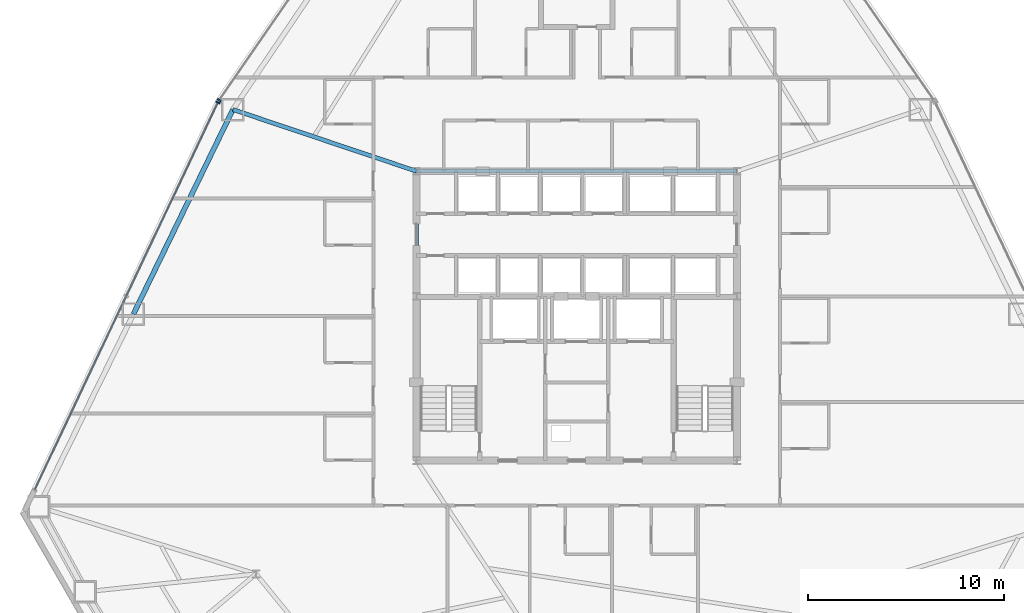
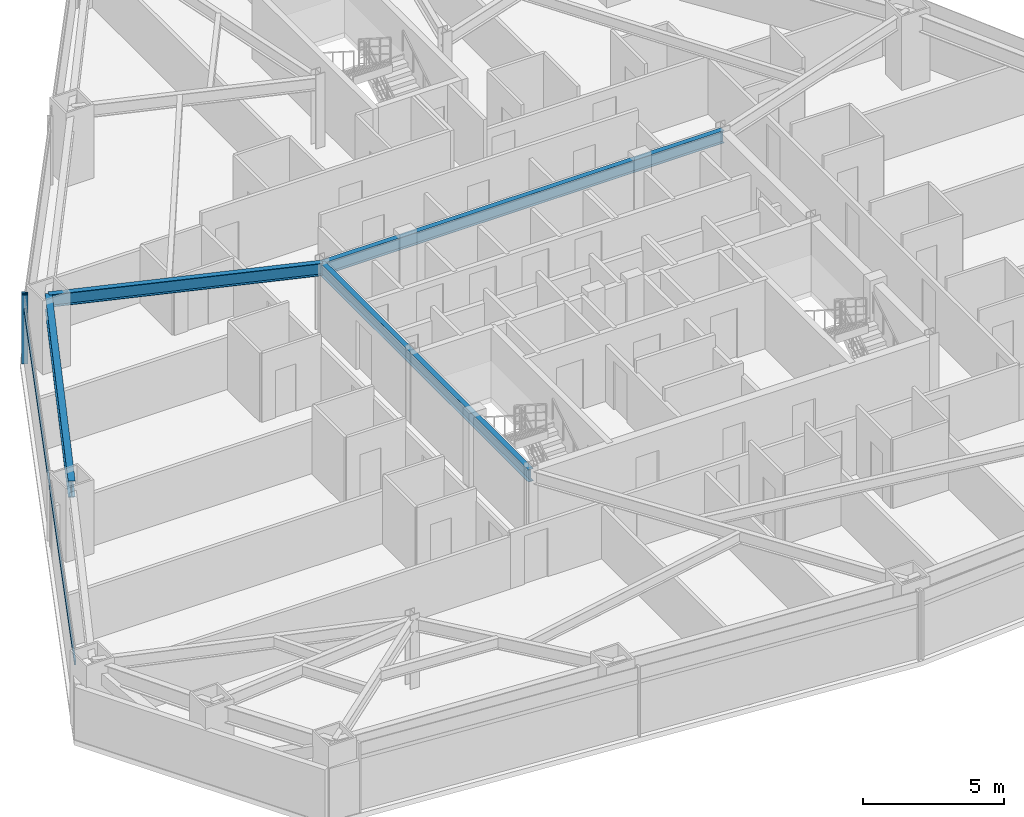
# One storey, part 5 of 13: 4 beams, 3 members, 2 elements without a shape of their own.
"""IFC4 building model written with IfcOpenShell, lengths in metres."""

from ifc_helpers import new_model, si_unit, direction, frame, origin, origin_2d, place, context, subcontext, project, spatial, rectangle, i_section, extrude, source, transform, mapped, material, layer, layer_set, material_profile, profile_set, type_object, type_shapes, element, aggregate, save


model = new_model("IFC4")

# Units and contexts
model_context = context("Model", 3, precision=1e-05, world=origin(), true_north=direction((0.0, 1.0)))
body_context = subcontext(model_context, "Body", "Model", "MODEL_VIEW")
ifc_project = project(units=[si_unit("LENGTHUNIT", "METRE"), si_unit("AREAUNIT", "SQUARE_METRE"), si_unit("VOLUMEUNIT", "CUBIC_METRE"), si_unit("PLANEANGLEUNIT", "RADIAN"), si_unit("MASSUNIT", "GRAM", prefix="KILO")], contexts=[model_context])

# Site, building, storey
site_placement = place(None, origin())
site = spatial("IfcSite", under=ifc_project, at=site_placement, CompositionType="ELEMENT")
building_placement = place(site_placement, origin())
building = spatial("IfcBuilding", under=site, at=building_placement, Name="Varakhsha Concourse Tower", CompositionType="ELEMENT")
storey_placement = place(building_placement, frame((0.0, 0.0, 49.60009765625)))
storey = spatial("IfcBuildingStorey", under=building, at=storey_placement, Name="L13", CompositionType="ELEMENT", Elevation=49.60009765625)

# Beams
ifc_material_1 = material(Name="Structural Steel ASTM A992 Grade 50", Category="steel")
ifc_material_profile_1 = material_profile(ifc_material_1, i_section(OverallWidth=0.2109375, OverallDepth=0.5390625, WebThickness=0.011962890625, FlangeThickness=0.01904296875, at=origin_2d()), Name="W21X73")
ifc_profile_set_1 = profile_set([ifc_material_profile_1], Name="Structural Steel ASTM A992 Grade 50")
beam_type_1 = type_object("IfcBeamType", Name="BM-RAD-W21X73", PredefinedType="BEAM", material=ifc_profile_set_1)
beam_1_placement = place(storey_placement, frame((31.800048828125, 31.199951171875, 2.71044921875), z_axis=(1.0, 0.0, 0.0), x_axis=(0.0, 1.0, 0.0)))
element("IfcBeam", 1, at=beam_1_placement, inside=storey, type_object=beam_type_1, Name="BM-TCORE-L13-CN", PredefinedType="BEAM", context=body_context, shape_type="SweptSolid", body=[
    extrude(i_section(OverallWidth=0.2109375, OverallDepth=0.5390625, WebThickness=0.011962890625, FlangeThickness=0.01904296875, at=origin_2d()), origin(), (0.0, 0.0, 1.0), 16.39990234375),
])
beam_2_placement = place(storey_placement, frame((31.800048828125, 16.39990234375, 2.71044921875), z_axis=(0.0, 1.0, 0.0), x_axis=(-1.0, 0.0, 0.0)))
element("IfcBeam", 2, at=beam_2_placement, inside=storey, type_object=beam_type_1, Name="BM-TCORE-L13-CW", PredefinedType="BEAM", context=body_context, shape_type="SweptSolid", body=[
    extrude(i_section(OverallWidth=0.2109375, OverallDepth=0.5390625, WebThickness=0.011962890625, FlangeThickness=0.01904296875, at=origin_2d()), origin(), (0.0, 0.0, 1.0), 14.800048828125),
])
beam_3_placement = place(storey_placement, frame((31.800048828125, 31.199951171875, 2.71044921875), z_axis=(-0.947972870005, 0.318351123345, 0.0), x_axis=(-0.318351123345, -0.947972870005, 0.0)))
element("IfcBeam", 3, at=beam_3_placement, inside=storey, type_object=beam_type_1, Name="L13 Radial Floor Girder 05", PredefinedType="BEAM", context=body_context, shape_type="SweptSolid", body=[
    extrude(i_section(OverallWidth=0.2109375, OverallDepth=0.5390625, WebThickness=0.011962890625, FlangeThickness=0.01904296875, at=origin_2d()), origin(), (0.0, 0.0, 1.0), 9.89599609375),
])
ifc_material_profile_2 = material_profile(ifc_material_1, i_section(OverallWidth=0.25390625, OverallDepth=0.701904296875, WebThickness=0.014892578125, FlangeThickness=0.028076171875, at=origin_2d()), Name="W27X129")
ifc_profile_set_2 = profile_set([ifc_material_profile_2], Name="Structural Steel ASTM A992 Grade 50")
beam_type_2 = type_object("IfcBeamType", Name="BM-SPAN-W27X129", PredefinedType="SPANDREL", material=ifc_profile_set_2)
beam_4_placement = place(storey_placement, frame((22.4189453125, 34.350341796875, 2.62890625), z_axis=(-0.437581332588, -0.899178835032, 0.0), x_axis=(0.899178835032, -0.437581332588, 0.0)))
element("IfcBeam", 4, at=beam_4_placement, inside=storey, type_object=beam_type_2, Name="BM-SPAN-L13-05", PredefinedType="SPANDREL", context=body_context, shape_type="SweptSolid", body=[
    extrude(i_section(OverallWidth=0.25390625, OverallDepth=0.701904296875, WebThickness=0.014892578125, FlangeThickness=0.028076171875, at=origin_2d()), origin(), (0.0, 0.0, 1.0), 11.629638671875),
])

# Curtain wall, member
ifc_material_2 = material(Name="Anodised Bronze Architectural Aluminium AA 6063-T6", Category="aluminium")
ifc_layer = layer(ifc_material_2, 0.219970703125, Name="CW-SYS-02")
ifc_layer_set = layer_set([ifc_layer], Name="Anodised Bronze Architectural Aluminium AA 6063-T6")
curtain_wall_type = type_object("IfcCurtainWallType", Name="CW-SYS-02", PredefinedType="NOTDEFINED", material=ifc_layer_set)
curtain_wall_1_placement = place(storey_placement, origin())
curtain_wall_1 = element("IfcCurtainWall", 5, at=curtain_wall_1_placement, inside=storey, type_object=curtain_wall_type, Name="L13 Crystal Curtain Wall F2", PredefinedType="NOTDEFINED")
ifc_material_profile_3 = material_profile(ifc_material_2, rectangle(XDim=0.074951171875, YDim=0.219970703125, at=origin_2d()), Name="CWM-220X75")
ifc_profile_set_3 = profile_set([ifc_material_profile_3], Name="Anodised Bronze Architectural Aluminium AA 6063-T6")
member_type_1 = type_object("IfcMemberType", Name="CWM-220X75", PredefinedType="MULLION", material=ifc_profile_set_3)
shared_shape_1 = source(origin(), body_context, "Body", "SweptSolid", [
    extrude(rectangle(XDim=0.074951171875, YDim=0.219970703125, at=origin_2d()), origin(), (0.0, 0.0, 1.0), 2.97998046875),
])
type_shapes(member_type_1, [shared_shape_1])
member_1_placement = place(storey_placement, frame((21.719482421875, 34.8310546875, 0.0), z_axis=(0.0, 0.0, 1.0), x_axis=(0.569057091236, 0.822298015877, 0.0)))
member_1 = element("IfcMember", 6, at=member_1_placement, type_object=member_type_1, Name="CW-L13-F2 Mullion 00", PredefinedType="MULLION", context=body_context, shape_type="MappedRepresentation", body=[
    mapped(shared_shape_1, transform((0.0, 0.0, 0.0), scale=1.0)),
])
aggregate(curtain_wall_1, [member_1])

# Curtain wall, members
curtain_wall_2_placement = place(storey_placement, origin())
curtain_wall_2 = element("IfcCurtainWall", 7, at=curtain_wall_2_placement, inside=storey, type_object=curtain_wall_type, Name="L13 Crystal Curtain Wall F3", PredefinedType="NOTDEFINED")
member_2_placement = place(storey_placement, frame((21.65283203125, 34.7158203125, 0.0), z_axis=(0.0, 0.0, 1.0), x_axis=(0.427604003332, 0.903966158844, 0.0)))
member_2 = element("IfcMember", 8, at=member_2_placement, type_object=member_type_1, Name="CW-L13-F3 Mullion 02", PredefinedType="MULLION", context=body_context, shape_type="MappedRepresentation", body=[
    mapped(shared_shape_1, transform((0.0, 0.0, 0.0), scale=1.0)),
])
ifc_material_profile_4 = material_profile(ifc_material_2, rectangle(XDim=0.06494140625, YDim=0.159912109375, at=origin_2d()), Name="CWT-160X65")
ifc_profile_set_4 = profile_set([ifc_material_profile_4], Name="Anodised Bronze Architectural Aluminium AA 6063-T6")
member_type_2 = type_object("IfcMemberType", Name="CWT-160X65", PredefinedType="USERDEFINED", material=ifc_profile_set_4)
shared_shape_2 = source(origin(), body_context, "Body", "SweptSolid", [
    extrude(rectangle(XDim=0.06494140625, YDim=0.159912109375, at=origin_2d()), origin(), (0.0, 0.0, 1.0), 21.9228515625),
])
type_shapes(member_type_2, [shared_shape_2])
member_3_placement = place(storey_placement, frame((12.278564453125, 14.898193359375, 2.329833984375), z_axis=(0.427600870916, 0.903967640567, 0.0), x_axis=(-0.903967640567, 0.427600870916, 0.0)))
member_3 = element("IfcMember", 9, at=member_3_placement, type_object=member_type_2, Name="CW-L13-F3 Transom 01", ObjectType="TRANSOM", PredefinedType="USERDEFINED", context=body_context, shape_type="MappedRepresentation", body=[
    mapped(shared_shape_2, transform((0.0, 0.0, 0.0), scale=1.0)),
])
aggregate(curtain_wall_2, [member_2, member_3])

save(model, "model.ifc")
